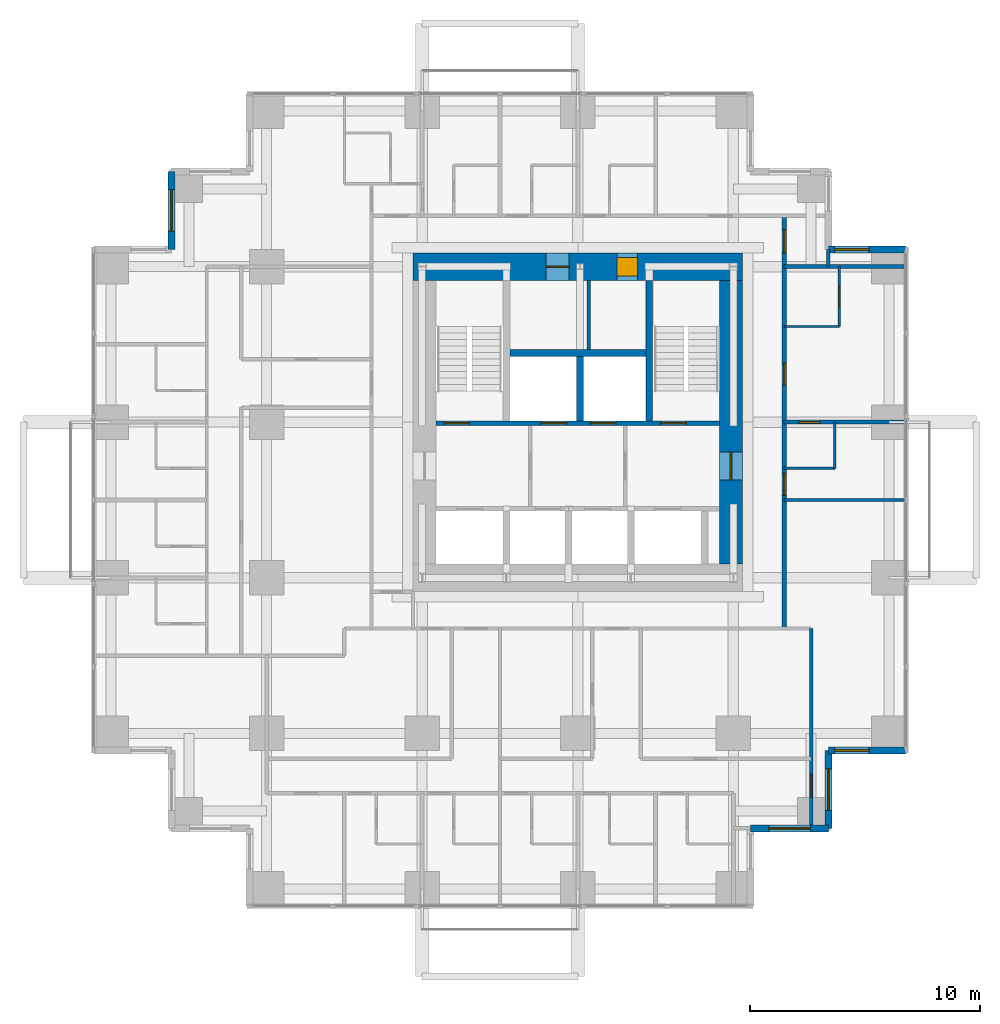
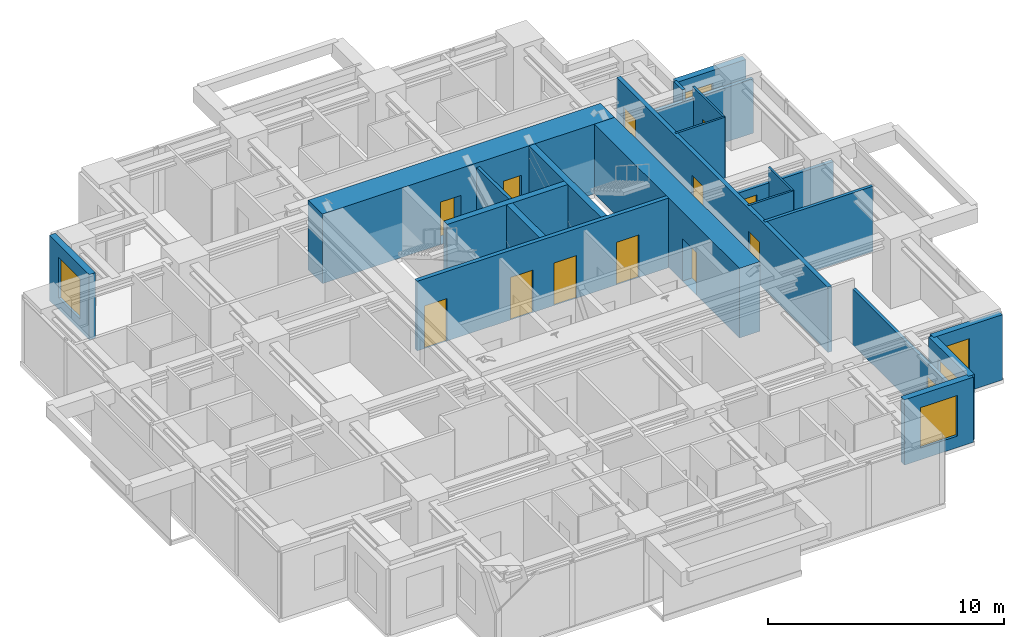
# One storey, part 8 of 11: 22 walls, 13 doors, 5 windows, 18 openings.
"""IFC4 building model written with IfcOpenShell, lengths in metres."""

from ifc_helpers import new_model, si_unit, direction, frame, frame_2d, origin, place, context, subcontext, project, spatial, rectangle, extrude, material, layer, layer_set, type_object, element, fill, save


model = new_model("IFC4")

# Units and contexts
model_context = context("Model", 3, precision=1e-05, world=origin(), true_north=direction((0.0, 1.0)))
body_context = subcontext(model_context, "Body", "Model", "MODEL_VIEW")
ifc_project = project(units=[si_unit("LENGTHUNIT", "METRE"), si_unit("AREAUNIT", "SQUARE_METRE"), si_unit("VOLUMEUNIT", "CUBIC_METRE"), si_unit("PLANEANGLEUNIT", "RADIAN"), si_unit("MASSUNIT", "GRAM", prefix="KILO")], contexts=[model_context])

# Site, building, storey
site_placement = place(None, origin())
site = spatial("IfcSite", under=ifc_project, at=site_placement, CompositionType="ELEMENT")
building_placement = place(site_placement, origin())
building = spatial("IfcBuilding", under=site, at=building_placement, Name="Nyansa Garden Tower", CompositionType="ELEMENT")
storey_placement = place(building_placement, frame((0.0, 0.0, 160.199951171875)))
storey = spatial("IfcBuildingStorey", under=building, at=storey_placement, Name="L43", CompositionType="ELEMENT", Elevation=160.199951171875)

# Wall, opening, door
ifc_material_1 = material(Name="Dense blockwork, plastered both sides, 55 dB", Category="masonry")
ifc_layer_1 = layer(ifc_material_1, 0.175048828125)
ifc_layer_set_1 = layer_set([ifc_layer_1], Name="Acoustic party wall PW175")
wall_type_1 = type_object("IfcWallType", Name="Acoustic party wall PW175", PredefinedType="PARTITIONING", material=ifc_layer_set_1)
wall_1_placement = place(storey_placement, frame((29.199951171875, 20.25, 0.0), z_axis=(0.0, 0.0, 1.0), x_axis=(1.0, 0.0, 0.0)))
wall_1 = element("IfcWall", 1, at=wall_1_placement, inside=storey, type_object=wall_type_1, Name="Party wall", PredefinedType="PARTITIONING", context=body_context, shape_type="SweptSolid", body=[
    extrude(rectangle(XDim=5.283935546875, YDim=0.175048828125, at=frame_2d((2.64208984375, 0.0))), origin(), (0.0, 0.0, 1.0), 2.610107421875),
])
opening_1_placement = place(wall_1_placement, frame((0.64990234375, 0.0, 0.0)))
opening_1 = element("IfcOpeningElement", 2, at=opening_1_placement, cuts=wall_1, Name="Opening D02", PredefinedType="OPENING", context=body_context, shape_type="SweptSolid", body=[
    extrude(rectangle(XDim=0.89990234375, YDim=2.199951171875, at=frame_2d((0.449951171875, 1.10009765625))), frame((0.0, 0.097412109375, 0.0), z_axis=(0.0, -1.0, 0.0), x_axis=(1.0, 0.0, 0.0)), (0.0, 0.0, 1.0), 0.195068359375),
])
ifc_material_2 = material(Name="Timber flush door", Category="wood")
door_type_1 = type_object("IfcDoorType", Name="En-suite door D02 900x2200", OperationType="SINGLE_SWING_RIGHT", PredefinedType="DOOR", material=ifc_material_2)
door_1_placement = place(opening_1_placement, origin())
door_1 = element("IfcDoor", 3, at=door_1_placement, inside=storey, type_object=door_type_1, Name="Door L43-037", OperationType="SINGLE_SWING_RIGHT", OverallHeight=2.199951171875, OverallWidth=0.89990234375, PredefinedType="DOOR", context=body_context, shape_type="SweptSolid", body=[
    extrude(rectangle(XDim=0.89990234375, YDim=2.199951171875, at=frame_2d((0.449951171875, 1.10009765625))), frame((0.0, 0.02490234375, 0.0), z_axis=(0.0, -1.0, 0.0), x_axis=(1.0, 0.0, 0.0)), (0.0, 0.0, 1.0), 0.050048828125),
])
fill(opening_1, door_1)

# Wall
wall_2_placement = place(storey_placement, frame((29.199951171875, 27.0, 0.0), z_axis=(0.0, 0.0, 1.0), x_axis=(1.0, 0.0, 0.0)))
element("IfcWall", 4, at=wall_2_placement, inside=storey, type_object=wall_type_1, Name="Party wall", PredefinedType="PARTITIONING", context=body_context, shape_type="SweptSolid", body=[
    extrude(rectangle(XDim=5.283935546875, YDim=0.175048828125, at=frame_2d((2.64208984375, 0.0))), origin(), (0.0, 0.0, 1.0), 2.80615234375),
])

# Wall, openings, doors
ifc_material_3 = material(Name="Concrete C70/85", Category="concrete")
ifc_layer_2 = layer(ifc_material_3, 0.199951171875)
ifc_layer_set_2 = layer_set([ifc_layer_2], Name="Core inner wall CI200")
wall_type_2 = type_object("IfcWallType", Name="Core inner wall CI200", PredefinedType="SHEAR", material=ifc_layer_set_2)
wall_3_placement = place(storey_placement, frame((14.10009765625, 20.199951171875, 0.0), z_axis=(0.0, 0.0, 1.0), x_axis=(1.0, 0.0, 0.0)))
wall_3 = element("IfcWall", 5, at=wall_3_placement, inside=storey, type_object=wall_type_2, Name="Core inner wall L43", PredefinedType="SHEAR", context=body_context, shape_type="SweptSolid", body=[
    extrude(rectangle(XDim=12.2998046875, YDim=0.199951171875, at=frame_2d((6.14990234375, 0.0))), origin(), (0.0, 0.0, 1.0), 3.60009765625),
])
opening_2_placement = place(wall_3_placement, frame((4.56005859375, 0.0, 0.0)))
opening_2 = element("IfcOpeningElement", 6, at=opening_2_placement, cuts=wall_3, Name="Opening LD-B", PredefinedType="OPENING", context=body_context, shape_type="SweptSolid", body=[
    extrude(rectangle(XDim=1.10009765625, YDim=2.199951171875, at=frame_2d((0.550048828125, 1.10009765625))), frame((0.0, 0.10986328125, 0.0), z_axis=(0.0, -1.0, 0.0), x_axis=(1.0, 0.0, 0.0)), (0.0, 0.0, 1.0), 0.219970703125),
])
opening_3_placement = place(wall_3_placement, frame((6.699951171875, 0.0, 0.0)))
opening_3 = element("IfcOpeningElement", 7, at=opening_3_placement, cuts=wall_3, Name="Opening LD-B", PredefinedType="OPENING", context=body_context, shape_type="SweptSolid", body=[
    extrude(rectangle(XDim=1.10009765625, YDim=2.199951171875, at=frame_2d((0.550048828125, 1.10009765625))), frame((0.0, 0.10986328125, 0.0), z_axis=(0.0, -1.0, 0.0), x_axis=(1.0, 0.0, 0.0)), (0.0, 0.0, 1.0), 0.219970703125),
])
opening_4_placement = place(wall_3_placement, frame((0.35009765625, 0.0, 0.0)))
opening_4 = element("IfcOpeningElement", 8, at=opening_4_placement, cuts=wall_3, Name="Opening D05", PredefinedType="OPENING", context=body_context, shape_type="SweptSolid", body=[
    extrude(rectangle(XDim=1.10009765625, YDim=2.199951171875, at=frame_2d((0.550048828125, 1.10009765625))), frame((0.0, 0.10986328125, 0.0), z_axis=(0.0, -1.0, 0.0), x_axis=(1.0, 0.0, 0.0)), (0.0, 0.0, 1.0), 0.219970703125),
])
opening_5_placement = place(wall_3_placement, frame((9.75, 0.0, 0.0)))
opening_5 = element("IfcOpeningElement", 9, at=opening_5_placement, cuts=wall_3, Name="Opening D05", PredefinedType="OPENING", context=body_context, shape_type="SweptSolid", body=[
    extrude(rectangle(XDim=1.10009765625, YDim=2.199951171875, at=frame_2d((0.550048828125, 1.10009765625))), frame((0.0, 0.10986328125, 0.0), z_axis=(0.0, -1.0, 0.0), x_axis=(1.0, 0.0, 0.0)), (0.0, 0.0, 1.0), 0.219970703125),
])
ifc_material_4 = material(Name="Stainless steel centre-opening landing door of the high-rise lift, E 120", Category="steel")
door_type_2 = type_object("IfcDoorType", Name="Lift landing door LD-B 1100x2200", OperationType="DOUBLE_DOOR_SLIDING", PredefinedType="DOOR", material=ifc_material_4)
door_2_placement = place(opening_2_placement, origin())
door_2 = element("IfcDoor", 10, at=door_2_placement, inside=storey, type_object=door_type_2, Name="Landing door B3", OperationType="DOUBLE_DOOR_SLIDING", OverallHeight=2.199951171875, OverallWidth=1.10009765625, PredefinedType="DOOR", context=body_context, shape_type="SweptSolid", body=[
    extrude(rectangle(XDim=1.10009765625, YDim=2.199951171875, at=frame_2d((0.550048828125, 1.10009765625))), frame((0.0, 0.02490234375, 0.0), z_axis=(0.0, -1.0, 0.0), x_axis=(1.0, 0.0, 0.0)), (0.0, 0.0, 1.0), 0.050048828125),
])
fill(opening_2, door_2)
door_3_placement = place(opening_3_placement, origin())
door_3 = element("IfcDoor", 11, at=door_3_placement, inside=storey, type_object=door_type_2, Name="Landing door B4", OperationType="DOUBLE_DOOR_SLIDING", OverallHeight=2.199951171875, OverallWidth=1.10009765625, PredefinedType="DOOR", context=body_context, shape_type="SweptSolid", body=[
    extrude(rectangle(XDim=1.10009765625, YDim=2.199951171875, at=frame_2d((0.550048828125, 1.10009765625))), frame((0.0, 0.02490234375, 0.0), z_axis=(0.0, -1.0, 0.0), x_axis=(1.0, 0.0, 0.0)), (0.0, 0.0, 1.0), 0.050048828125),
])
fill(opening_3, door_3)
ifc_material_5 = material(Name="Steel door, 120 minute fire resisting", Category="steel")
door_type_3 = type_object("IfcDoorType", Name="Stair door D05 1100x2200", OperationType="SINGLE_SWING_LEFT", PredefinedType="DOOR", material=ifc_material_5)
door_4_placement = place(opening_4_placement, origin())
door_4 = element("IfcDoor", 12, at=door_4_placement, inside=storey, type_object=door_type_3, Name="Stair S1 door", OperationType="SINGLE_SWING_LEFT", OverallHeight=2.199951171875, OverallWidth=1.10009765625, PredefinedType="DOOR", context=body_context, shape_type="SweptSolid", body=[
    extrude(rectangle(XDim=1.10009765625, YDim=2.199951171875, at=frame_2d((0.550048828125, 1.10009765625))), frame((0.0, 0.02490234375, 0.0), z_axis=(0.0, -1.0, 0.0), x_axis=(1.0, 0.0, 0.0)), (0.0, 0.0, 1.0), 0.050048828125),
])
fill(opening_4, door_4)
door_5_placement = place(opening_5_placement, origin())
door_5 = element("IfcDoor", 13, at=door_5_placement, inside=storey, type_object=door_type_3, Name="Stair S2 door", OperationType="SINGLE_SWING_LEFT", OverallHeight=2.199951171875, OverallWidth=1.10009765625, PredefinedType="DOOR", context=body_context, shape_type="SweptSolid", body=[
    extrude(rectangle(XDim=1.10009765625, YDim=2.199951171875, at=frame_2d((0.550048828125, 1.10009765625))), frame((0.0, 0.02490234375, 0.0), z_axis=(0.0, -1.0, 0.0), x_axis=(1.0, 0.0, 0.0)), (0.0, 0.0, 1.0), 0.050048828125),
])
fill(opening_5, door_5)

# Walls
ifc_material_6 = material(Name="Concrete C70/85", Category="concrete")
ifc_layer_3 = layer(ifc_material_6, 0.300048828125)
ifc_layer_set_3 = layer_set([ifc_layer_3], Name="Core inner wall CI300")
wall_type_3 = type_object("IfcWallType", Name="Core inner wall CI300", PredefinedType="SHEAR", material=ifc_layer_set_3)
wall_4_placement = place(storey_placement, frame((23.35009765625, 20.300048828125, 0.0), z_axis=(0.0, 0.0, 1.0), x_axis=(0.0, 1.0, 0.0)))
element("IfcWall", 14, at=wall_4_placement, inside=storey, type_object=wall_type_3, Name="Core inner wall L43", PredefinedType="SHEAR", context=body_context, shape_type="SweptSolid", body=[
    extrude(rectangle(XDim=6.099853515625, YDim=0.300048828125, at=frame_2d((3.0498046875, 0.0))), origin(), (0.0, 0.0, 1.0), 3.60009765625),
])
wall_5_placement = place(storey_placement, frame((20.35009765625, 20.300048828125, 0.0), z_axis=(0.0, 0.0, 1.0), x_axis=(0.0, 1.0, 0.0)))
element("IfcWall", 15, at=wall_5_placement, inside=storey, type_object=wall_type_3, Name="Core inner wall L43", PredefinedType="SHEAR", context=body_context, shape_type="SweptSolid", body=[
    extrude(rectangle(XDim=2.800048828125, YDim=0.300048828125, at=frame_2d((1.39990234375, 0.0))), origin(), (0.0, 0.0, 1.0), 3.60009765625),
])
wall_6_placement = place(storey_placement, frame((17.300048828125, 23.25, 0.0), z_axis=(0.0, 0.0, 1.0), x_axis=(1.0, 0.0, 0.0)))
element("IfcWall", 16, at=wall_6_placement, inside=storey, type_object=wall_type_3, Name="Core inner wall L43", PredefinedType="SHEAR", context=body_context, shape_type="SweptSolid", body=[
    extrude(rectangle(XDim=5.89990234375, YDim=0.300048828125, at=frame_2d((2.949951171875, 0.0))), origin(), (0.0, 0.0, 1.0), 3.60009765625),
])

# Wall, opening, door
ifc_material_7 = material(Name="Concrete C80/95", Category="concrete")
ifc_layer_4 = layer(ifc_material_7, 1.0)
ifc_layer_set_4 = layer_set([ifc_layer_4], Name="Core wall CW1000")
wall_type_4 = type_object("IfcWallType", Name="Core wall CW1000", PredefinedType="SHEAR", material=ifc_layer_set_4)
wall_7_placement = place(storey_placement, frame((26.89990234375, 14.10009765625, 0.0), z_axis=(0.0, 0.0, 1.0), x_axis=(0.0, 1.0, 0.0)))
wall_7 = element("IfcWall", 17, at=wall_7_placement, inside=storey, type_object=wall_type_4, Name="Core wall E L43", PredefinedType="SHEAR", context=body_context, shape_type="SweptSolid", body=[
    extrude(rectangle(XDim=12.2998046875, YDim=1.0, at=frame_2d((6.14990234375, 0.0))), origin(), (0.0, 0.0, 1.0), 3.60009765625),
])
opening_6_placement = place(wall_7_placement, frame((3.64990234375, 0.0, 0.0)))
opening_6 = element("IfcOpeningElement", 18, at=opening_6_placement, cuts=wall_7, Name="Opening D06", PredefinedType="OPENING", context=body_context, shape_type="SweptSolid", body=[
    extrude(rectangle(XDim=1.199951171875, YDim=2.199951171875, at=frame_2d((0.60009765625, 1.10009765625))), frame((0.0, 0.510009765625, 0.0), z_axis=(0.0, -1.0, 0.0), x_axis=(1.0, 0.0, 0.0)), (0.0, 0.0, 1.0), 1.02001953125),
])
ifc_material_8 = material(Name="Steel door, 120 minute fire resisting", Category="steel")
door_type_4 = type_object("IfcDoorType", Name="Lobby door D06 1200x2200", OperationType="DOUBLE_DOOR_SINGLE_SWING", PredefinedType="DOOR", material=ifc_material_8)
door_6_placement = place(opening_6_placement, origin())
door_6 = element("IfcDoor", 19, at=door_6_placement, inside=storey, type_object=door_type_4, Name="Lift lobby door east", OperationType="DOUBLE_DOOR_SINGLE_SWING", OverallHeight=2.199951171875, OverallWidth=1.199951171875, PredefinedType="DOOR", context=body_context, shape_type="SweptSolid", body=[
    extrude(rectangle(XDim=1.199951171875, YDim=2.199951171875, at=frame_2d((0.60009765625, 1.10009765625))), frame((0.0, 0.02490234375, 0.0), z_axis=(0.0, -1.0, 0.0), x_axis=(1.0, 0.0, 0.0)), (0.0, 0.0, 1.0), 0.050048828125),
])
fill(opening_6, door_6)

# Wall, openings, doors
ifc_material_9 = material(Name="Concrete C80/95", Category="concrete")
ifc_layer_5 = layer(ifc_material_9, 1.199951171875)
ifc_layer_set_5 = layer_set([ifc_layer_5], Name="Core wall CW1200")
wall_type_5 = type_object("IfcWallType", Name="Core wall CW1200", PredefinedType="SHEAR", material=ifc_layer_set_5)
wall_8_placement = place(storey_placement, frame((27.39990234375, 27.0, 0.0), z_axis=(0.0, 0.0, 1.0), x_axis=(-1.0, 0.0, 0.0)))
wall_8 = element("IfcWall", 20, at=wall_8_placement, inside=storey, type_object=wall_type_5, Name="Core wall N L43", PredefinedType="SHEAR", context=body_context, shape_type="SweptSolid", body=[
    extrude(rectangle(XDim=14.2998046875, YDim=1.199951171875, at=frame_2d((7.14990234375, 0.0))), origin(), (0.0, 0.0, 1.0), 3.60009765625),
])
opening_7_placement = place(wall_8_placement, frame((4.550048828125, 0.0, 0.0)))
opening_7 = element("IfcOpeningElement", 21, at=opening_7_placement, cuts=wall_8, Name="Opening D15", PredefinedType="OPENING", context=body_context, shape_type="SweptSolid", body=[
    extrude(rectangle(XDim=0.89990234375, YDim=2.199951171875, at=frame_2d((0.449951171875, 1.10009765625))), frame((0.0, 0.60986328125, 0.0), z_axis=(0.0, -1.0, 0.0), x_axis=(1.0, 0.0, 0.0)), (0.0, 0.0, 1.0), 1.219970703125),
])
opening_8_placement = place(wall_8_placement, frame((7.52490234375, 0.0, 0.0)))
opening_8 = element("IfcOpeningElement", 22, at=opening_8_placement, cuts=wall_8, Name="Opening D07", PredefinedType="OPENING", context=body_context, shape_type="SweptSolid", body=[
    extrude(rectangle(XDim=1.0, YDim=2.199951171875, at=frame_2d((0.5, 1.10009765625))), frame((0.0, 0.60986328125, 0.0), z_axis=(0.0, -1.0, 0.0), x_axis=(1.0, 0.0, 0.0)), (0.0, 0.0, 1.0), 1.219970703125),
])
ifc_material_10 = material(Name="Timber flush door, 60 minute fire resisting, self-closing", Category="wood")
door_type_5 = type_object("IfcDoorType", Name="Core room door D15 900x2200", OperationType="SINGLE_SWING_LEFT", PredefinedType="DOOR", material=ifc_material_10)
door_7_placement = place(opening_7_placement, origin())
door_7 = element("IfcDoor", 23, at=door_7_placement, inside=storey, type_object=door_type_5, Name="Core room door", OperationType="SINGLE_SWING_LEFT", OverallHeight=2.199951171875, OverallWidth=0.89990234375, PredefinedType="DOOR", context=body_context, shape_type="SweptSolid", body=[
    extrude(rectangle(XDim=0.89990234375, YDim=2.199951171875, at=frame_2d((0.449951171875, 1.10009765625))), frame((0.0, 0.39990234375, 0.0), z_axis=(0.0, -1.0, 0.0), x_axis=(1.0, 0.0, 0.0)), (0.0, 0.0, 1.0), 0.800048828125),
])
fill(opening_7, door_7)
ifc_material_11 = material(Name="Steel door, 120 minute fire resisting", Category="steel")
door_type_6 = type_object("IfcDoorType", Name="Riser door D07 1000x2200", OperationType="SINGLE_SWING_LEFT", PredefinedType="DOOR", material=ifc_material_11)
door_8_placement = place(opening_8_placement, origin())
door_8 = element("IfcDoor", 24, at=door_8_placement, inside=storey, type_object=door_type_6, Name="Riser and refuse room door", OperationType="SINGLE_SWING_LEFT", OverallHeight=2.199951171875, OverallWidth=1.0, PredefinedType="DOOR", context=body_context, shape_type="SweptSolid", body=[
    extrude(rectangle(XDim=1.0, YDim=2.199951171875, at=frame_2d((0.5, 1.10009765625))), frame((0.0, 0.02490234375, 0.0), z_axis=(0.0, -1.0, 0.0), x_axis=(1.0, 0.0, 0.0)), (0.0, 0.0, 1.0), 0.050048828125),
])
fill(opening_8, door_8)

ifc_material_12 = material(Name="Concrete blockwork, plastered, 60 minute fire resisting", Category="masonry")
ifc_layer_6 = layer(ifc_material_12, 0.199951171875)
ifc_layer_set_6 = layer_set([ifc_layer_6], Name="Corridor wall FW200")
wall_type_6 = type_object("IfcWallType", Name="Corridor wall FW200", PredefinedType="PARTITIONING", material=ifc_layer_set_6)
wall_9_placement = place(storey_placement, frame((29.199951171875, 11.300048828125, 0.0), z_axis=(0.0, 0.0, 1.0), x_axis=(0.0, 1.0, 0.0)))
wall_9 = element("IfcWall", 25, at=wall_9_placement, inside=storey, type_object=wall_type_6, Name="Corridor wall", PredefinedType="PARTITIONING", context=body_context, shape_type="SweptSolid", body=[
    extrude(rectangle(XDim=17.89990234375, YDim=0.199951171875, at=frame_2d((8.949951171875, 0.0))), origin(), (0.0, 0.0, 1.0), 3.375),
])
opening_9_placement = place(wall_9_placement, frame((10.550048828125, 0.0, 0.0)))
opening_9 = element("IfcOpeningElement", 26, at=opening_9_placement, cuts=wall_9, Name="Opening D14", PredefinedType="OPENING", context=body_context, shape_type="SweptSolid", body=[
    extrude(rectangle(XDim=0.949951171875, YDim=2.199951171875, at=frame_2d((0.47509765625, 1.10009765625))), frame((0.0, 0.10986328125, 0.0), z_axis=(0.0, -1.0, 0.0), x_axis=(1.0, 0.0, 0.0)), (0.0, 0.0, 1.0), 0.219970703125),
])
opening_10_placement = place(wall_9_placement, frame((5.77490234375, 0.0, 0.0)))
opening_10 = element("IfcOpeningElement", 27, at=opening_10_placement, cuts=wall_9, Name="Opening D14", PredefinedType="OPENING", context=body_context, shape_type="SweptSolid", body=[
    extrude(rectangle(XDim=0.949951171875, YDim=2.199951171875, at=frame_2d((0.47509765625, 1.10009765625))), frame((0.0, 0.10986328125, 0.0), z_axis=(0.0, -1.0, 0.0), x_axis=(1.0, 0.0, 0.0)), (0.0, 0.0, 1.0), 0.219970703125),
])
opening_11_placement = place(wall_9_placement, frame((16.300048828125, 0.0, 0.0)))
opening_11 = element("IfcOpeningElement", 28, at=opening_11_placement, cuts=wall_9, Name="Opening D03", PredefinedType="OPENING", context=body_context, shape_type="SweptSolid", body=[
    extrude(rectangle(XDim=1.0, YDim=2.199951171875, at=frame_2d((0.5, 1.10009765625))), frame((0.0, 0.10986328125, 0.0), z_axis=(0.0, -1.0, 0.0), x_axis=(1.0, 0.0, 0.0)), (0.0, 0.0, 1.0), 0.219970703125),
])
ifc_material_13 = material(Name="Timber flush door, 60 minute fire resisting", Category="wood")
door_type_7 = type_object("IfcDoorType", Name="Cluster entrance door D03 1000x2200", OperationType="SINGLE_SWING_LEFT", PredefinedType="DOOR", material=ifc_material_13)
door_9_placement = place(opening_11_placement, origin())
door_9 = element("IfcDoor", 29, at=door_9_placement, inside=storey, type_object=door_type_7, Name="Door L43-038", OperationType="SINGLE_SWING_LEFT", OverallHeight=2.199951171875, OverallWidth=1.0, PredefinedType="DOOR", context=body_context, shape_type="SweptSolid", body=[
    extrude(rectangle(XDim=1.0, YDim=2.199951171875, at=frame_2d((0.5, 1.10009765625))), frame((0.0, 0.02490234375, 0.0), z_axis=(0.0, -1.0, 0.0), x_axis=(1.0, 0.0, 0.0)), (0.0, 0.0, 1.0), 0.050048828125),
])
fill(opening_11, door_9)
ifc_material_14 = material(Name="Timber flush door, 60 minute fire resisting, self-closing", Category="wood")
door_type_8 = type_object("IfcDoorType", Name="Studio entrance door D14 950x2200", OperationType="SINGLE_SWING_LEFT", PredefinedType="DOOR", material=ifc_material_14)
door_10_placement = place(opening_9_placement, origin())
door_10 = element("IfcDoor", 30, at=door_10_placement, inside=storey, type_object=door_type_8, Name="Door L43-034", OperationType="SINGLE_SWING_LEFT", OverallHeight=2.199951171875, OverallWidth=0.949951171875, PredefinedType="DOOR", context=body_context, shape_type="SweptSolid", body=[
    extrude(rectangle(XDim=0.949951171875, YDim=2.199951171875, at=frame_2d((0.47509765625, 1.10009765625))), frame((0.0, 0.02490234375, 0.0), z_axis=(0.0, -1.0, 0.0), x_axis=(1.0, 0.0, 0.0)), (0.0, 0.0, 1.0), 0.050048828125),
])
fill(opening_9, door_10)
door_11_placement = place(opening_10_placement, origin())
door_11 = element("IfcDoor", 31, at=door_11_placement, inside=storey, type_object=door_type_8, Name="Door L43-036", OperationType="SINGLE_SWING_LEFT", OverallHeight=2.199951171875, OverallWidth=0.949951171875, PredefinedType="DOOR", context=body_context, shape_type="SweptSolid", body=[
    extrude(rectangle(XDim=0.949951171875, YDim=2.199951171875, at=frame_2d((0.47509765625, 1.10009765625))), frame((0.0, 0.02490234375, 0.0), z_axis=(0.0, -1.0, 0.0), x_axis=(1.0, 0.0, 0.0)), (0.0, 0.0, 1.0), 0.050048828125),
])
fill(opening_10, door_11)

# Walls
ifc_material_15 = material(Name="Blockwork, plastered both sides", Category="masonry")
ifc_layer_7 = layer(ifc_material_15, 0.14990234375)
ifc_layer_set_7 = layer_set([ifc_layer_7], Name="Partition PW150")
wall_type_7 = type_object("IfcWallType", Name="Partition PW150", PredefinedType="PARTITIONING", material=ifc_layer_set_7)
wall_10_placement = place(storey_placement, frame((20.72509765625, 23.39990234375, 0.0), z_axis=(0.0, 0.0, 1.0), x_axis=(0.0, 1.0, 0.0)))
element("IfcWall", 32, at=wall_10_placement, inside=storey, type_object=wall_type_7, Name="Partition", PredefinedType="PARTITIONING", context=body_context, shape_type="SweptSolid", body=[
    extrude(rectangle(XDim=3.0, YDim=0.14990234375, at=frame_2d((1.5, 0.0))), origin(), (0.0, 0.0, 1.0), 3.375),
])
wall_11_placement = place(storey_placement, frame((29.199951171875, 16.875, 0.0), z_axis=(0.0, 0.0, 1.0), x_axis=(1.0, 0.0, 0.0)))
element("IfcWall", 33, at=wall_11_placement, inside=storey, type_object=wall_type_7, Name="Partition", PredefinedType="PARTITIONING", context=body_context, shape_type="SweptSolid", body=[
    extrude(rectangle(XDim=5.283935546875, YDim=0.14990234375, at=frame_2d((2.64208984375, 0.0))), origin(), (0.0, 0.0, 1.0), 3.375),
])

# Wall, opening, door
wall_12_placement = place(storey_placement, frame((30.375, 2.77490234375, 0.0), z_axis=(0.0, 0.0, 1.0), x_axis=(0.0, 1.0, 0.0)))
wall_12 = element("IfcWall", 34, at=wall_12_placement, inside=storey, type_object=wall_type_7, Name="Partition", PredefinedType="PARTITIONING", context=body_context, shape_type="SweptSolid", body=[
    extrude(rectangle(XDim=8.525146484375, YDim=0.14990234375, at=frame_2d((4.2626953125, 0.0))), origin(), (0.0, 0.0, 1.0), 2.876953125),
])
opening_12_placement = place(wall_12_placement, frame((1.216064453125, 0.0, 0.0)))
opening_12 = element("IfcOpeningElement", 35, at=opening_12_placement, cuts=wall_12, Name="Opening D03", PredefinedType="OPENING", context=body_context, shape_type="SweptSolid", body=[
    extrude(rectangle(XDim=1.0, YDim=2.199951171875, at=frame_2d((0.5, 1.10009765625))), frame((0.0, 0.0849609375, 0.0), z_axis=(0.0, -1.0, 0.0), x_axis=(1.0, 0.0, 0.0)), (0.0, 0.0, 1.0), 0.169921875),
])
door_12_placement = place(opening_12_placement, origin())
door_12 = element("IfcDoor", 36, at=door_12_placement, inside=storey, type_object=door_type_7, Name="Door L43-033", OperationType="SINGLE_SWING_LEFT", OverallHeight=2.199951171875, OverallWidth=1.0, PredefinedType="DOOR", context=body_context, shape_type="SweptSolid", body=[
    extrude(rectangle(XDim=1.0, YDim=2.199951171875, at=frame_2d((0.5, 1.10009765625))), frame((0.0, 0.02490234375, 0.0), z_axis=(0.0, -1.0, 0.0), x_axis=(1.0, 0.0, 0.0)), (0.0, 0.0, 1.0), 0.050048828125),
])
fill(opening_12, door_12)

# Wall
wall_13_placement = place(storey_placement, frame((31.125, 27.0, 0.0), z_axis=(0.0, 0.0, 1.0), x_axis=(0.0, 1.0, 0.0)))
element("IfcWall", 37, at=wall_13_placement, inside=storey, type_object=wall_type_7, Name="Partition", PredefinedType="PARTITIONING", context=body_context, shape_type="SweptSolid", body=[
    extrude(rectangle(XDim=0.73388671875, YDim=0.14990234375, at=frame_2d((0.366943359375, 0.0))), origin(), (0.0, 0.0, 1.0), 3.375),
])

# Wall, opening, window
ifc_material_16 = material(Name="Turquoise glazed tile on concrete blockwork", Category="masonry")
ifc_layer_8 = layer(ifc_material_16, 0.300048828125)
ifc_layer_set_8 = layer_set([ifc_layer_8], Name="Tiled corner wall TW300")
wall_type_8 = type_object("IfcWallType", Name="Tiled corner wall TW300", PredefinedType="SOLIDWALL", material=ifc_layer_set_8)
wall_14_placement = place(storey_placement, frame((34.5, 27.75, 0.0), z_axis=(0.0, 0.0, 1.0), x_axis=(-1.0, 0.0, 0.0)))
wall_14 = element("IfcWall", 38, at=wall_14_placement, inside=storey, type_object=wall_type_8, Name="Tiled corner wall L43", PredefinedType="SOLIDWALL", context=body_context, shape_type="SweptSolid", body=[
    extrude(rectangle(XDim=3.375, YDim=0.300048828125, at=frame_2d((1.6875, 0.0))), origin(), (0.0, 0.0, 1.0), 3.375),
])
opening_13_placement = place(wall_14_placement, frame((1.607421875, 0.0, 0.89990234375)))
opening_13 = element("IfcOpeningElement", 39, at=opening_13_placement, cuts=wall_14, Name="Opening W1", PredefinedType="OPENING", context=body_context, shape_type="SweptSolid", body=[
    extrude(rectangle(XDim=1.5, YDim=1.800048828125, at=frame_2d((0.75, 0.89990234375))), frame((0.0, 0.159912109375, 0.0), z_axis=(0.0, -1.0, 0.0), x_axis=(1.0, 0.0, 0.0)), (0.0, 0.0, 1.0), 0.320068359375),
])
ifc_material_17 = material(Name="Black aluminium frame, dark tinted double glazing", Category="aluminium")
window_type_1 = type_object("IfcWindowType", Name="Window W1 1500x1800", PartitioningType="SINGLE_PANEL", PredefinedType="WINDOW", material=ifc_material_17)
window_1_placement = place(opening_13_placement, origin())
window_1 = element("IfcWindow", 40, at=window_1_placement, inside=storey, type_object=window_type_1, Name="Corner window L43", OverallHeight=1.800048828125, OverallWidth=1.5, PartitioningType="SINGLE_PANEL", PredefinedType="WINDOW", context=body_context, shape_type="SweptSolid", body=[
    extrude(rectangle(XDim=1.5, YDim=1.800048828125, at=frame_2d((0.75, 0.89990234375))), frame((0.0, 0.030029296875, 0.0), z_axis=(0.0, -1.0, 0.0), x_axis=(1.0, 0.0, 0.0)), (0.0, 0.0, 1.0), 0.06005859375),
])
fill(opening_13, window_1)

wall_15_placement = place(storey_placement, frame((2.625, 31.125, 0.0), z_axis=(0.0, 0.0, 1.0), x_axis=(0.0, -1.0, 0.0)))
wall_15 = element("IfcWall", 41, at=wall_15_placement, inside=storey, type_object=wall_type_8, Name="Tiled corner wall L43", PredefinedType="SOLIDWALL", context=body_context, shape_type="SweptSolid", body=[
    extrude(rectangle(XDim=3.375, YDim=0.300048828125, at=frame_2d((1.6875, 0.0))), origin(), (0.0, 0.0, 1.0), 3.375),
])
opening_14_placement = place(wall_15_placement, frame((0.78759765625, 0.0, 0.60009765625)))
opening_14 = element("IfcOpeningElement", 42, at=opening_14_placement, cuts=wall_15, Name="Opening W2", PredefinedType="OPENING", context=body_context, shape_type="SweptSolid", body=[
    extrude(rectangle(XDim=1.800048828125, YDim=2.10009765625, at=frame_2d((0.89990234375, 1.050048828125))), frame((0.0, 0.159912109375, 0.0), z_axis=(0.0, -1.0, 0.0), x_axis=(1.0, 0.0, 0.0)), (0.0, 0.0, 1.0), 0.320068359375),
])
ifc_material_18 = material(Name="Black aluminium frame, dark tinted double glazing", Category="aluminium")
window_type_2 = type_object("IfcWindowType", Name="Window W2 1800x2100", PartitioningType="SINGLE_PANEL", PredefinedType="WINDOW", material=ifc_material_18)
window_2_placement = place(opening_14_placement, origin())
window_2 = element("IfcWindow", 43, at=window_2_placement, inside=storey, type_object=window_type_2, Name="Corner window L43", OverallHeight=2.10009765625, OverallWidth=1.800048828125, PartitioningType="SINGLE_PANEL", PredefinedType="WINDOW", context=body_context, shape_type="SweptSolid", body=[
    extrude(rectangle(XDim=1.800048828125, YDim=2.10009765625, at=frame_2d((0.89990234375, 1.050048828125))), frame((0.0, 0.030029296875, 0.0), z_axis=(0.0, -1.0, 0.0), x_axis=(1.0, 0.0, 0.0)), (0.0, 0.0, 1.0), 0.06005859375),
])
fill(opening_14, window_2)

wall_16_placement = place(storey_placement, frame((27.75, 2.625, 0.0), z_axis=(0.0, 0.0, 1.0), x_axis=(1.0, 0.0, 0.0)))
wall_16 = element("IfcWall", 44, at=wall_16_placement, inside=storey, type_object=wall_type_8, Name="Tiled corner wall L43", PredefinedType="SOLIDWALL", context=body_context, shape_type="SweptSolid", body=[
    extrude(rectangle(XDim=3.375, YDim=0.300048828125, at=frame_2d((1.6875, 0.0))), origin(), (0.0, 0.0, 1.0), 3.375),
])
opening_15_placement = place(wall_16_placement, frame((0.78759765625, 0.0, 0.60009765625)))
opening_15 = element("IfcOpeningElement", 45, at=opening_15_placement, cuts=wall_16, Name="Opening W2", PredefinedType="OPENING", context=body_context, shape_type="SweptSolid", body=[
    extrude(rectangle(XDim=1.800048828125, YDim=2.10009765625, at=frame_2d((0.89990234375, 1.050048828125))), frame((0.0, 0.159912109375, 0.0), z_axis=(0.0, -1.0, 0.0), x_axis=(1.0, 0.0, 0.0)), (0.0, 0.0, 1.0), 0.320068359375),
])
window_3_placement = place(opening_15_placement, origin())
window_3 = element("IfcWindow", 46, at=window_3_placement, inside=storey, type_object=window_type_2, Name="Corner window L43", OverallHeight=2.10009765625, OverallWidth=1.800048828125, PartitioningType="SINGLE_PANEL", PredefinedType="WINDOW", context=body_context, shape_type="SweptSolid", body=[
    extrude(rectangle(XDim=1.800048828125, YDim=2.10009765625, at=frame_2d((0.89990234375, 1.050048828125))), frame((0.0, 0.030029296875, 0.0), z_axis=(0.0, -1.0, 0.0), x_axis=(1.0, 0.0, 0.0)), (0.0, 0.0, 1.0), 0.06005859375),
])
fill(opening_15, window_3)

wall_17_placement = place(storey_placement, frame((31.125, 2.625, 0.0), z_axis=(0.0, 0.0, 1.0), x_axis=(0.0, 1.0, 0.0)))
wall_17 = element("IfcWall", 47, at=wall_17_placement, inside=storey, type_object=wall_type_8, Name="Tiled corner wall L43", PredefinedType="SOLIDWALL", context=body_context, shape_type="SweptSolid", body=[
    extrude(rectangle(XDim=3.375, YDim=0.300048828125, at=frame_2d((1.6875, 0.0))), origin(), (0.0, 0.0, 1.0), 3.375),
])
opening_16_placement = place(wall_17_placement, frame((0.78759765625, 0.0, 0.60009765625)))
opening_16 = element("IfcOpeningElement", 48, at=opening_16_placement, cuts=wall_17, Name="Opening W2", PredefinedType="OPENING", context=body_context, shape_type="SweptSolid", body=[
    extrude(rectangle(XDim=1.800048828125, YDim=2.10009765625, at=frame_2d((0.89990234375, 1.050048828125))), frame((0.0, 0.159912109375, 0.0), z_axis=(0.0, -1.0, 0.0), x_axis=(1.0, 0.0, 0.0)), (0.0, 0.0, 1.0), 0.320068359375),
])
window_4_placement = place(opening_16_placement, origin())
window_4 = element("IfcWindow", 49, at=window_4_placement, inside=storey, type_object=window_type_2, Name="Corner window L43", OverallHeight=2.10009765625, OverallWidth=1.800048828125, PartitioningType="SINGLE_PANEL", PredefinedType="WINDOW", context=body_context, shape_type="SweptSolid", body=[
    extrude(rectangle(XDim=1.800048828125, YDim=2.10009765625, at=frame_2d((0.89990234375, 1.050048828125))), frame((0.0, 0.030029296875, 0.0), z_axis=(0.0, -1.0, 0.0), x_axis=(1.0, 0.0, 0.0)), (0.0, 0.0, 1.0), 0.06005859375),
])
fill(opening_16, window_4)

wall_18_placement = place(storey_placement, frame((31.125, 6.0, 0.0), z_axis=(0.0, 0.0, 1.0), x_axis=(1.0, 0.0, 0.0)))
wall_18 = element("IfcWall", 50, at=wall_18_placement, inside=storey, type_object=wall_type_8, Name="Tiled corner wall L43", PredefinedType="SOLIDWALL", context=body_context, shape_type="SweptSolid", body=[
    extrude(rectangle(XDim=3.375, YDim=0.300048828125, at=frame_2d((1.6875, 0.0))), origin(), (0.0, 0.0, 1.0), 3.375),
])
opening_17_placement = place(wall_18_placement, frame((0.267578125, 0.0, 0.89990234375)))
opening_17 = element("IfcOpeningElement", 51, at=opening_17_placement, cuts=wall_18, Name="Opening W1", PredefinedType="OPENING", context=body_context, shape_type="SweptSolid", body=[
    extrude(rectangle(XDim=1.5, YDim=1.800048828125, at=frame_2d((0.75, 0.89990234375))), frame((0.0, 0.159912109375, 0.0), z_axis=(0.0, -1.0, 0.0), x_axis=(1.0, 0.0, 0.0)), (0.0, 0.0, 1.0), 0.320068359375),
])
window_5_placement = place(opening_17_placement, origin())
window_5 = element("IfcWindow", 52, at=window_5_placement, inside=storey, type_object=window_type_1, Name="Corner window L43", OverallHeight=1.800048828125, OverallWidth=1.5, PartitioningType="SINGLE_PANEL", PredefinedType="WINDOW", context=body_context, shape_type="SweptSolid", body=[
    extrude(rectangle(XDim=1.5, YDim=1.800048828125, at=frame_2d((0.75, 0.89990234375))), frame((0.0, 0.030029296875, 0.0), z_axis=(0.0, -1.0, 0.0), x_axis=(1.0, 0.0, 0.0)), (0.0, 0.0, 1.0), 0.06005859375),
])
fill(opening_17, window_5)

# Walls
ifc_material_19 = material(Name="Moisture resistant board on steel studs, tiled", Category="steel")
ifc_layer_9 = layer(ifc_material_19, 0.10009765625)
ifc_layer_set_9 = layer_set([ifc_layer_9], Name="Wet wall PW100")
wall_type_9 = type_object("IfcWallType", Name="Wet wall PW100", PredefinedType="PARTITIONING", material=ifc_layer_set_9)
wall_19_placement = place(storey_placement, frame((29.199951171875, 18.25, 0.0), z_axis=(0.0, 0.0, 1.0), x_axis=(1.0, 0.0, 0.0)))
element("IfcWall", 53, at=wall_19_placement, inside=storey, type_object=wall_type_9, Name="Wet wall", PredefinedType="PARTITIONING", context=body_context, shape_type="SweptSolid", body=[
    extrude(rectangle(XDim=2.199951171875, YDim=0.10009765625, at=frame_2d((1.10009765625, 0.0))), origin(), (0.0, 0.0, 1.0), 3.375),
])
wall_20_placement = place(storey_placement, frame((29.199951171875, 24.39990234375, 0.0), z_axis=(0.0, 0.0, 1.0), x_axis=(1.0, 0.0, 0.0)))
element("IfcWall", 54, at=wall_20_placement, inside=storey, type_object=wall_type_9, Name="Wet wall", PredefinedType="PARTITIONING", context=body_context, shape_type="SweptSolid", body=[
    extrude(rectangle(XDim=2.400146484375, YDim=0.10009765625, at=frame_2d((1.2001953125, 0.0))), origin(), (0.0, 0.0, 1.0), 3.375),
])
wall_21_placement = place(storey_placement, frame((31.39990234375, 18.25, 0.0), z_axis=(0.0, 0.0, 1.0), x_axis=(0.0, 1.0, 0.0)))
element("IfcWall", 55, at=wall_21_placement, inside=storey, type_object=wall_type_9, Name="Wet wall", PredefinedType="PARTITIONING", context=body_context, shape_type="SweptSolid", body=[
    extrude(rectangle(XDim=2.0, YDim=0.10009765625, at=frame_2d((1.0, 0.0))), origin(), (0.0, 0.0, 1.0), 3.375),
])

# Wall, opening, door
wall_22_placement = place(storey_placement, frame((31.60009765625, 24.39990234375, 0.0), z_axis=(0.0, 0.0, 1.0), x_axis=(0.0, 1.0, 0.0)))
wall_22 = element("IfcWall", 56, at=wall_22_placement, inside=storey, type_object=wall_type_9, Name="Wet wall", PredefinedType="PARTITIONING", context=body_context, shape_type="SweptSolid", body=[
    extrude(rectangle(XDim=2.60009765625, YDim=0.10009765625, at=frame_2d((1.300048828125, 0.0))), origin(), (0.0, 0.0, 1.0), 3.375),
])
opening_18_placement = place(wall_22_placement, frame((0.85009765625, 0.0, 0.0)))
opening_18 = element("IfcOpeningElement", 57, at=opening_18_placement, cuts=wall_22, Name="Opening D02", PredefinedType="OPENING", context=body_context, shape_type="SweptSolid", body=[
    extrude(rectangle(XDim=0.89990234375, YDim=2.199951171875, at=frame_2d((0.449951171875, 1.10009765625))), frame((0.0, 0.06005859375, 0.0), z_axis=(0.0, -1.0, 0.0), x_axis=(1.0, 0.0, 0.0)), (0.0, 0.0, 1.0), 0.1201171875),
])
door_13_placement = place(opening_18_placement, origin())
door_13 = element("IfcDoor", 58, at=door_13_placement, inside=storey, type_object=door_type_1, Name="Door L43-035", OperationType="SINGLE_SWING_RIGHT", OverallHeight=2.199951171875, OverallWidth=0.89990234375, PredefinedType="DOOR", context=body_context, shape_type="SweptSolid", body=[
    extrude(rectangle(XDim=0.89990234375, YDim=2.199951171875, at=frame_2d((0.449951171875, 1.10009765625))), frame((0.0, 0.02490234375, 0.0), z_axis=(0.0, -1.0, 0.0), x_axis=(1.0, 0.0, 0.0)), (0.0, 0.0, 1.0), 0.050048828125),
])
fill(opening_18, door_13)

save(model, "model.ifc")
